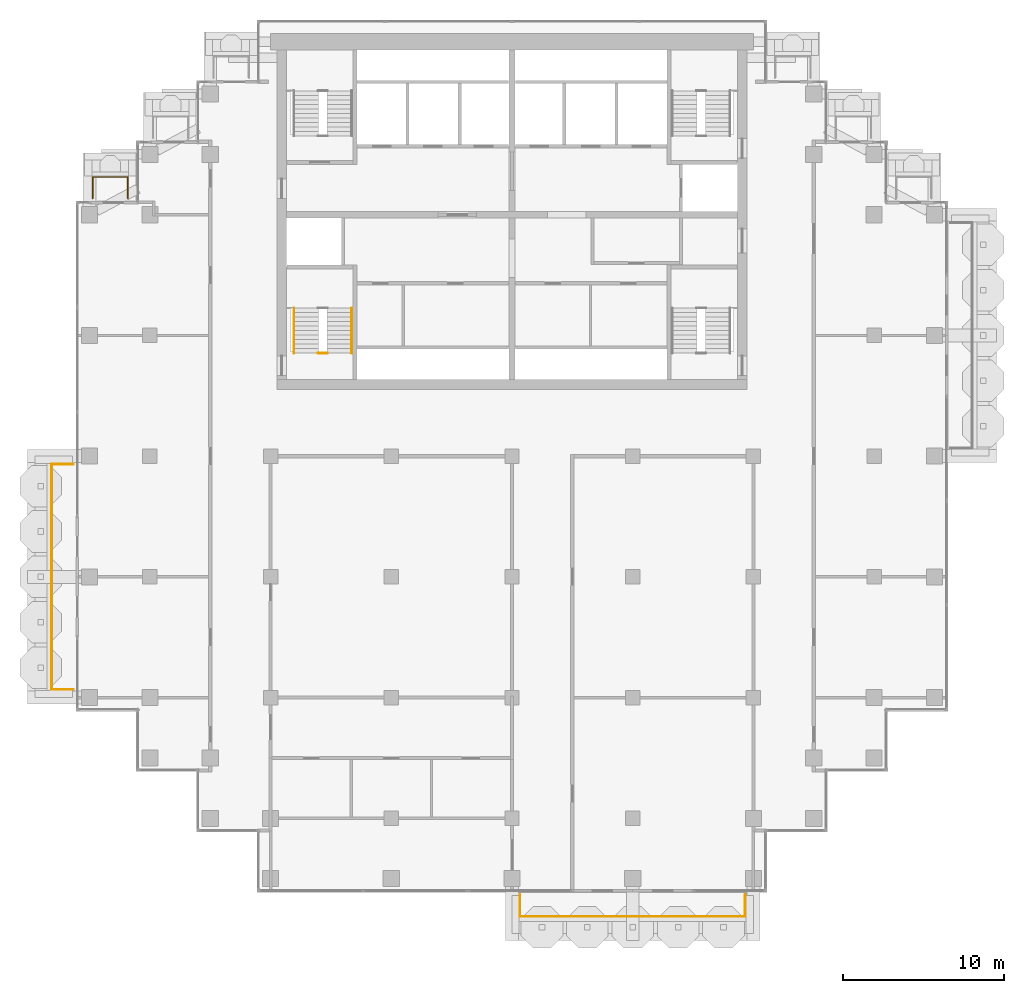
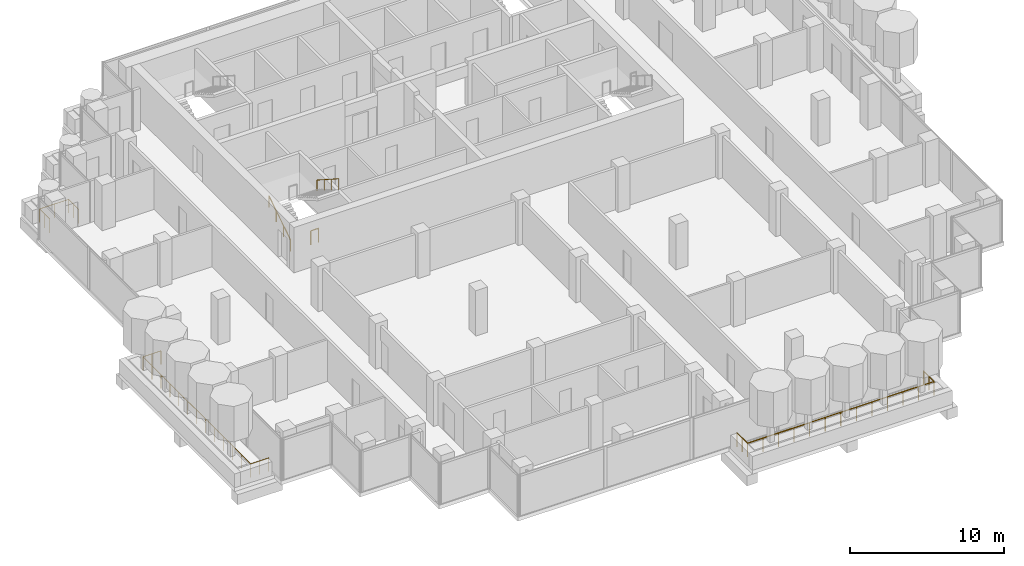
# One storey, part 15 of 18: 6 railings.
"""IFC4 building model written with IfcOpenShell, lengths in metres."""

from ifc_helpers import new_model, si_unit, direction, frame, origin, origin_2d, place, context, subcontext, project, spatial, circle, extrude, material, type_object, element, save


model = new_model("IFC4")

# Units and contexts
model_context = context("Model", 3, precision=1e-05, world=origin(), true_north=direction((0.0, 1.0)))
body_context = subcontext(model_context, "Body", "Model", "MODEL_VIEW")
ifc_project = project(units=[si_unit("LENGTHUNIT", "METRE"), si_unit("AREAUNIT", "SQUARE_METRE"), si_unit("VOLUMEUNIT", "CUBIC_METRE"), si_unit("PLANEANGLEUNIT", "RADIAN"), si_unit("MASSUNIT", "GRAM", prefix="KILO")], contexts=[model_context])

# Site, building, storey
site_placement = place(None, origin())
site = spatial("IfcSite", under=ifc_project, at=site_placement, CompositionType="ELEMENT")
building_placement = place(site_placement, origin())
building = spatial("IfcBuilding", under=site, at=building_placement, Name="Pilkhan Gate Tower", CompositionType="ELEMENT")
storey_placement = place(building_placement, frame((0.0, 0.0, 210.300048828125)))
storey = spatial("IfcBuildingStorey", under=building, at=storey_placement, Name="L54", CompositionType="ELEMENT", Elevation=210.300048828125)

# Railings
ifc_material_1 = material(Name="Pale anodised aluminium posts, laminated glass infill", Category="aluminium")
railing_type_1 = type_object("IfcRailingType", Name="Balcony guard G1", PredefinedType="BALUSTRADE", material=ifc_material_1)
railing_1_placement = place(storey_placement, frame((75.5, 40.25, 0.0)))
element("IfcRailing", 1, at=railing_1_placement, inside=storey, type_object=railing_type_1, Name="Balcony guard L54 S", PredefinedType="BALUSTRADE", context=body_context, shape_type="SweptSolid", body=[
    extrude(circle(Radius=0.02392578125, at=origin_2d()), frame((0.0, 0.0, 1.076171875), z_axis=(0.0, -1.0, 0.0), x_axis=(1.0, 0.0, 0.0)), (0.0, 0.0, 1.0), 1.35009765625),
    extrude(circle(Radius=0.02392578125, at=origin_2d()), frame((0.0, -1.35009765625, 1.076171875), z_axis=(1.0, 0.0, 0.0), x_axis=(0.0, 1.0, 0.0)), (0.0, 0.0, 1.0), 14.0),
    extrude(circle(Radius=0.02392578125, at=origin_2d()), frame((14.0, -1.35009765625, 1.076171875), z_axis=(0.0, 1.0, 0.0), x_axis=(-1.0, 0.0, 0.0)), (0.0, 0.0, 1.0), 1.35009765625),
    extrude(circle(Radius=0.02099609375, at=origin_2d()), origin(), (0.0, 0.0, 1.0), 1.052001953125),
    extrude(circle(Radius=0.02099609375, at=origin_2d()), frame((0.0, -0.675048828125, 0.0)), (0.0, 0.0, 1.0), 1.052001953125),
    extrude(circle(Radius=0.02099609375, at=origin_2d()), frame((0.0, -1.35009765625, 0.0)), (0.0, 0.0, 1.0), 1.052001953125),
    extrude(circle(Radius=0.02099609375, at=origin_2d()), frame((1.166748046875, -1.35009765625, 0.0)), (0.0, 0.0, 1.0), 1.052001953125),
    extrude(circle(Radius=0.02099609375, at=origin_2d()), frame((2.333251953125, -1.35009765625, 0.0)), (0.0, 0.0, 1.0), 1.052001953125),
    extrude(circle(Radius=0.02099609375, at=origin_2d()), frame((3.5, -1.35009765625, 0.0)), (0.0, 0.0, 1.0), 1.052001953125),
    extrude(circle(Radius=0.02099609375, at=origin_2d()), frame((4.666748046875, -1.35009765625, 0.0)), (0.0, 0.0, 1.0), 1.052001953125),
    extrude(circle(Radius=0.02099609375, at=origin_2d()), frame((5.833251953125, -1.35009765625, 0.0)), (0.0, 0.0, 1.0), 1.052001953125),
    extrude(circle(Radius=0.02099609375, at=origin_2d()), frame((7.0, -1.35009765625, 0.0)), (0.0, 0.0, 1.0), 1.052001953125),
    extrude(circle(Radius=0.02099609375, at=origin_2d()), frame((8.166748046875, -1.35009765625, 0.0)), (0.0, 0.0, 1.0), 1.052001953125),
    extrude(circle(Radius=0.02099609375, at=origin_2d()), frame((9.333251953125, -1.35009765625, 0.0)), (0.0, 0.0, 1.0), 1.052001953125),
    extrude(circle(Radius=0.02099609375, at=origin_2d()), frame((10.5, -1.35009765625, 0.0)), (0.0, 0.0, 1.0), 1.052001953125),
    extrude(circle(Radius=0.02099609375, at=origin_2d()), frame((11.666748046875, -1.35009765625, 0.0)), (0.0, 0.0, 1.0), 1.052001953125),
    extrude(circle(Radius=0.02099609375, at=origin_2d()), frame((12.833251953125, -1.35009765625, 0.0)), (0.0, 0.0, 1.0), 1.052001953125),
    extrude(circle(Radius=0.02099609375, at=origin_2d()), frame((14.0, -1.35009765625, 0.0)), (0.0, 0.0, 1.0), 1.052001953125),
    extrude(circle(Radius=0.02099609375, at=origin_2d()), frame((14.0, -0.675048828125, 0.0)), (0.0, 0.0, 1.0), 1.052001953125),
    extrude(circle(Radius=0.02099609375, at=origin_2d()), frame((14.0, 0.0, 0.0)), (0.0, 0.0, 1.0), 1.052001953125),
])
railing_2_placement = place(storey_placement, frame((48.949951171875, 83.52001953125, 0.0)))
element("IfcRailing", 2, at=railing_2_placement, inside=storey, type_object=railing_type_1, Name="Balcony guard L54 N", PredefinedType="BALUSTRADE", context=body_context, shape_type="SweptSolid", body=[
    extrude(circle(Radius=0.02392578125, at=origin_2d()), frame((0.0, 0.0, 1.076171875), z_axis=(0.0, 1.0, 0.0), x_axis=(-1.0, 0.0, 0.0)), (0.0, 0.0, 1.0), 1.330078125),
    extrude(circle(Radius=0.02392578125, at=origin_2d()), frame((0.0, 1.330078125, 1.076171875), z_axis=(1.0, 0.0, 0.0), x_axis=(0.0, 1.0, 0.0)), (0.0, 0.0, 1.0), 2.179931640625),
    extrude(circle(Radius=0.02392578125, at=origin_2d()), frame((2.179931640625, 1.330078125, 1.076171875), z_axis=(0.0, -1.0, 0.0), x_axis=(1.0, 0.0, 0.0)), (0.0, 0.0, 1.0), 1.330078125),
    extrude(circle(Radius=0.02099609375, at=origin_2d()), origin(), (0.0, 0.0, 1.0), 1.052001953125),
    extrude(circle(Radius=0.02099609375, at=origin_2d()), frame((0.0, 0.6650390625, 0.0)), (0.0, 0.0, 1.0), 1.052001953125),
    extrude(circle(Radius=0.02099609375, at=origin_2d()), frame((0.0, 1.330078125, 0.0)), (0.0, 0.0, 1.0), 1.052001953125),
    extrude(circle(Radius=0.02099609375, at=origin_2d()), frame((1.08984375, 1.330078125, 0.0)), (0.0, 0.0, 1.0), 1.052001953125),
    extrude(circle(Radius=0.02099609375, at=origin_2d()), frame((2.179931640625, 1.330078125, 0.0)), (0.0, 0.0, 1.0), 1.052001953125),
    extrude(circle(Radius=0.02099609375, at=origin_2d()), frame((2.179931640625, 0.6650390625, 0.0)), (0.0, 0.0, 1.0), 1.052001953125),
    extrude(circle(Radius=0.02099609375, at=origin_2d()), frame((2.179931640625, 0.0, 0.0)), (0.0, 0.0, 1.0), 1.052001953125),
])
railing_3_placement = place(storey_placement, frame((47.75, 53.0, 0.0)))
element("IfcRailing", 3, at=railing_3_placement, inside=storey, type_object=railing_type_1, Name="Balcony guard L54 W", PredefinedType="BALUSTRADE", context=body_context, shape_type="SweptSolid", body=[
    extrude(circle(Radius=0.02392578125, at=origin_2d()), frame((0.0, 0.0, 1.076171875), z_axis=(-1.0, 0.0, 0.0), x_axis=(0.0, -1.0, 0.0)), (0.0, 0.0, 1.0), 1.35009765625),
    extrude(circle(Radius=0.02392578125, at=origin_2d()), frame((-1.35009765625, 0.0, 1.076171875), z_axis=(0.0, 1.0, 0.0), x_axis=(-1.0, 0.0, 0.0)), (0.0, 0.0, 1.0), 14.0),
    extrude(circle(Radius=0.02392578125, at=origin_2d()), frame((-1.35009765625, 14.0, 1.076171875), z_axis=(1.0, 0.0, 0.0), x_axis=(0.0, 1.0, 0.0)), (0.0, 0.0, 1.0), 1.35009765625),
    extrude(circle(Radius=0.02099609375, at=origin_2d()), origin(), (0.0, 0.0, 1.0), 1.052001953125),
    extrude(circle(Radius=0.02099609375, at=origin_2d()), frame((-0.675048828125, 0.0, 0.0)), (0.0, 0.0, 1.0), 1.052001953125),
    extrude(circle(Radius=0.02099609375, at=origin_2d()), frame((-1.35009765625, 0.0, 0.0)), (0.0, 0.0, 1.0), 1.052001953125),
    extrude(circle(Radius=0.02099609375, at=origin_2d()), frame((-1.35009765625, 1.166748046875, 0.0)), (0.0, 0.0, 1.0), 1.052001953125),
    extrude(circle(Radius=0.02099609375, at=origin_2d()), frame((-1.35009765625, 2.333251953125, 0.0)), (0.0, 0.0, 1.0), 1.052001953125),
    extrude(circle(Radius=0.02099609375, at=origin_2d()), frame((-1.35009765625, 3.5, 0.0)), (0.0, 0.0, 1.0), 1.052001953125),
    extrude(circle(Radius=0.02099609375, at=origin_2d()), frame((-1.35009765625, 4.666748046875, 0.0)), (0.0, 0.0, 1.0), 1.052001953125),
    extrude(circle(Radius=0.02099609375, at=origin_2d()), frame((-1.35009765625, 5.833251953125, 0.0)), (0.0, 0.0, 1.0), 1.052001953125),
    extrude(circle(Radius=0.02099609375, at=origin_2d()), frame((-1.35009765625, 7.0, 0.0)), (0.0, 0.0, 1.0), 1.052001953125),
    extrude(circle(Radius=0.02099609375, at=origin_2d()), frame((-1.35009765625, 8.166748046875, 0.0)), (0.0, 0.0, 1.0), 1.052001953125),
    extrude(circle(Radius=0.02099609375, at=origin_2d()), frame((-1.35009765625, 9.333251953125, 0.0)), (0.0, 0.0, 1.0), 1.052001953125),
    extrude(circle(Radius=0.02099609375, at=origin_2d()), frame((-1.35009765625, 10.5, 0.0)), (0.0, 0.0, 1.0), 1.052001953125),
    extrude(circle(Radius=0.02099609375, at=origin_2d()), frame((-1.35009765625, 11.666748046875, 0.0)), (0.0, 0.0, 1.0), 1.052001953125),
    extrude(circle(Radius=0.02099609375, at=origin_2d()), frame((-1.35009765625, 12.833251953125, 0.0)), (0.0, 0.0, 1.0), 1.052001953125),
    extrude(circle(Radius=0.02099609375, at=origin_2d()), frame((-1.35009765625, 14.0, 0.0)), (0.0, 0.0, 1.0), 1.052001953125),
    extrude(circle(Radius=0.02099609375, at=origin_2d()), frame((-0.675048828125, 14.0, 0.0)), (0.0, 0.0, 1.0), 1.052001953125),
    extrude(circle(Radius=0.02099609375, at=origin_2d()), frame((0.0, 14.0, 0.0)), (0.0, 0.0, 1.0), 1.052001953125),
])
ifc_material_2 = material(Name="Black powder-coated steel tube", Category="steel")
railing_type_2 = type_object("IfcRailingType", Name="Stair handrail HR1", PredefinedType="HANDRAIL", material=ifc_material_2)
railing_4_placement = place(storey_placement, frame((61.449951171875, 73.89990234375, 0.0)))
element("IfcRailing", 4, at=railing_4_placement, inside=storey, type_object=railing_type_2, Name="Stair ST2 handrail L54", PredefinedType="HANDRAIL", context=body_context, shape_type="SweptSolid", body=[
    extrude(circle(Radius=0.02392578125, at=origin_2d()), frame((0.0, 0.0, 0.8759765625), z_axis=(0.0, 0.841176092368, 0.540761298198), x_axis=(-1.0, 0.0, 0.0)), (0.0, 0.0, 1.0), 3.32861328125),
    extrude(circle(Radius=0.02099609375, at=origin_2d()), origin(), (0.0, 0.0, 1.0), 0.851806640625),
    extrude(circle(Radius=0.02099609375, at=origin_2d()), frame((0.0, 0.933349609375, 0.60009765625)), (0.0, 0.0, 1.0), 0.851806640625),
    extrude(circle(Radius=0.02099609375, at=origin_2d()), frame((0.0, 1.86669921875, 1.199951171875)), (0.0, 0.0, 1.0), 0.851806640625),
    extrude(circle(Radius=0.02099609375, at=origin_2d()), frame((0.0, 2.800048828125, 1.800048828125)), (0.0, 0.0, 1.0), 0.851806640625),
])
railing_5_placement = place(storey_placement, frame((65.050048828125, 76.699951171875, 1.800048828125)))
element("IfcRailing", 5, at=railing_5_placement, inside=storey, type_object=railing_type_2, Name="Stair ST2 handrail L54", PredefinedType="HANDRAIL", context=body_context, shape_type="SweptSolid", body=[
    extrude(circle(Radius=0.02392578125, at=origin_2d()), frame((0.0, 0.0, 0.8759765625), z_axis=(0.0, -0.841209454229, 0.540709398952), x_axis=(1.0, 0.0, 0.0)), (0.0, 0.0, 1.0), 3.32861328125),
    extrude(circle(Radius=0.02099609375, at=origin_2d()), origin(), (0.0, 0.0, 1.0), 0.851806640625),
    extrude(circle(Radius=0.02099609375, at=origin_2d()), frame((0.0, -0.933349609375, 0.599853515625)), (0.0, 0.0, 1.0), 0.851806640625),
    extrude(circle(Radius=0.02099609375, at=origin_2d()), frame((0.0, -1.86669921875, 1.199951171875)), (0.0, 0.0, 1.0), 0.851806640625),
    extrude(circle(Radius=0.02099609375, at=origin_2d()), frame((0.0, -2.800048828125, 1.7998046875)), (0.0, 0.0, 1.0), 0.851806640625),
])
ifc_material_3 = material(Name="Black powder-coated steel balusters", Category="steel")
railing_type_3 = type_object("IfcRailingType", Name="Stair well guard G3", PredefinedType="GUARDRAIL", material=ifc_material_3)
railing_6_placement = place(storey_placement, frame((62.9599609375, 73.89990234375, 0.0)))
element("IfcRailing", 6, at=railing_6_placement, inside=storey, type_object=railing_type_3, Name="Stair ST2 well guard L54", PredefinedType="GUARDRAIL", context=body_context, shape_type="SweptSolid", body=[
    extrude(circle(Radius=0.02392578125, at=origin_2d()), frame((0.0, 0.0, 1.076171875), z_axis=(1.0, 0.0, 0.0), x_axis=(0.0, 1.0, 0.0)), (0.0, 0.0, 1.0), 0.580078125),
    extrude(circle(Radius=0.02099609375, at=origin_2d()), origin(), (0.0, 0.0, 1.0), 1.052001953125),
    extrude(circle(Radius=0.02099609375, at=origin_2d()), frame((0.580078125, 0.0, 0.0)), (0.0, 0.0, 1.0), 1.052001953125),
])

save(model, "model.ifc")
